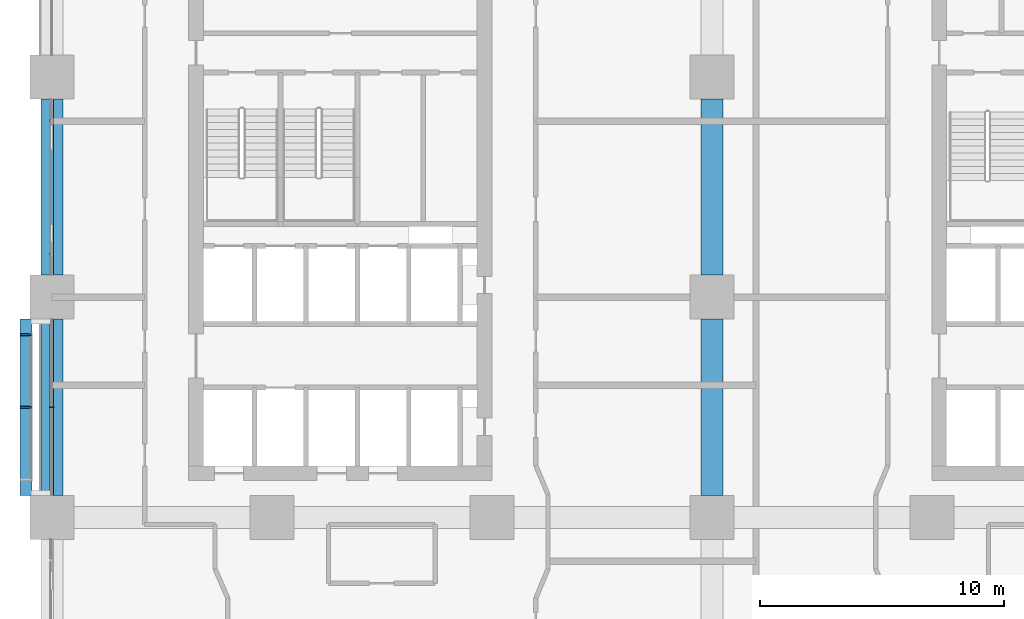
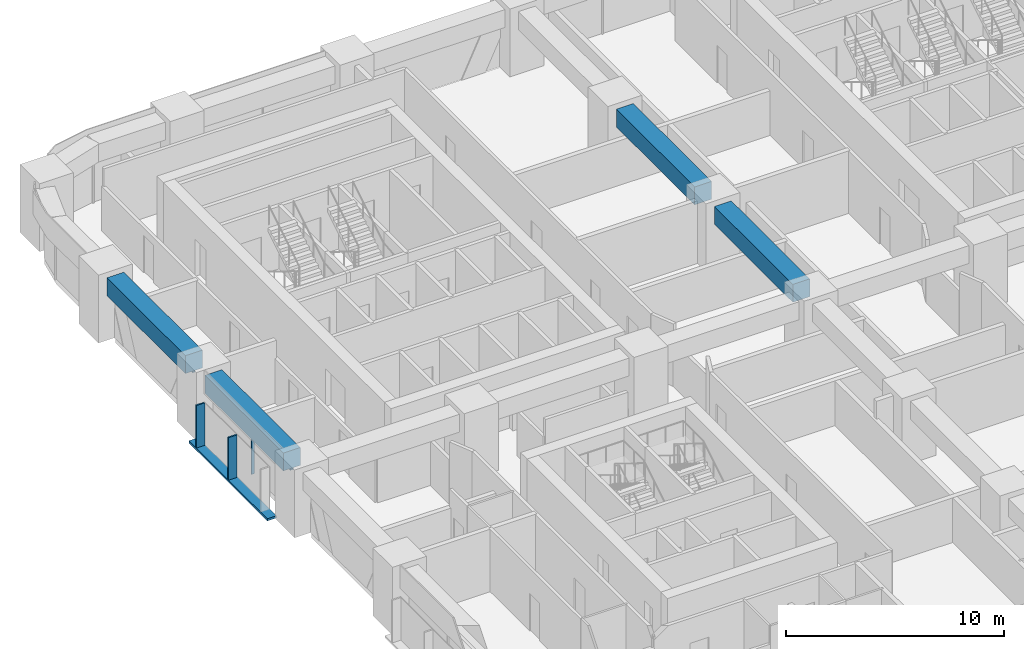
# One storey, part 6 of 23: 5 beams, 5 members, 2 elements without a shape of their own.
"""IFC4 building model written with IfcOpenShell, lengths in metres."""

from ifc_helpers import new_model, si_unit, direction, frame, origin, origin_2d, place, context, subcontext, project, spatial, rectangle, extrude, material, material_profile, profile_set, type_object, element, aggregate, save


model = new_model("IFC4")

# Units and contexts
model_context = context("Model", 3, precision=1e-05, world=origin(), true_north=direction((0.0, 1.0)))
body_context = subcontext(model_context, "Body", "Model", "MODEL_VIEW")
ifc_project = project(units=[si_unit("LENGTHUNIT", "METRE"), si_unit("AREAUNIT", "SQUARE_METRE"), si_unit("VOLUMEUNIT", "CUBIC_METRE"), si_unit("PLANEANGLEUNIT", "RADIAN"), si_unit("MASSUNIT", "GRAM", prefix="KILO")], contexts=[model_context])

# Site, building, storey
site_placement = place(None, origin())
site = spatial("IfcSite", under=ifc_project, at=site_placement, CompositionType="ELEMENT")
building_placement = place(site_placement, origin())
building = spatial("IfcBuilding", under=site, at=building_placement, Name="Tessera Arch", CompositionType="ELEMENT")
storey_placement = place(building_placement, frame((0.0, 0.0, 57.60009765625)))
storey = spatial("IfcBuildingStorey", under=building, at=storey_placement, Name="L12", CompositionType="ELEMENT", Elevation=57.60009765625)

# Curtain wall, members
ifc_material_1 = material(Name="CW1 curtain wall")
curtain_wall_type_1 = type_object("IfcCurtainWallType", Name="CW1 curtain wall", PredefinedType="NOTDEFINED", material=ifc_material_1)
curtain_wall_1_placement = place(storey_placement, origin())
curtain_wall_1 = element("IfcCurtainWall", 1, at=curtain_wall_1_placement, inside=storey, type_object=curtain_wall_type_1, Name="CW1 curtain wall W0.0/2 L12", PredefinedType="NOTDEFINED")
ifc_material_2 = material(Name="Anodised aluminium pale metal", Category="aluminium")
ifc_material_profile_1 = material_profile(ifc_material_2, rectangle(XDim=0.159912109375, YDim=0.06005859375, at=origin_2d()), Name="AL 60x160")
ifc_profile_set_1 = profile_set([ifc_material_profile_1], Name="Anodised aluminium pale metal")
member_type_1 = type_object("IfcMemberType", Name="CW1 mullion", PredefinedType="MULLION", material=ifc_profile_set_1)
member_1_placement = place(storey_placement, frame((0.0, 31.5, 0.0), z_axis=(0.0, 0.0, 1.0), x_axis=(1.0, 0.0, 0.0)))
member_1 = element("IfcMember", 2, at=member_1_placement, type_object=member_type_1, Name="CW1 mullion W0.0/2 1", PredefinedType="MULLION", context=body_context, shape_type="SweptSolid", body=[
    extrude(rectangle(XDim=0.159912109375, YDim=0.06005859375, at=origin_2d()), origin(), (0.0, 0.0, 1.0), 2.39990234375),
])
ifc_material_3 = material(Name="Anodised aluminium pale metal", Category="aluminium")
ifc_material_profile_2 = material_profile(ifc_material_3, rectangle(XDim=0.159912109375, YDim=0.10009765625, at=origin_2d()), Name="AL 160x100")
ifc_profile_set_2 = profile_set([ifc_material_profile_2], Name="Anodised aluminium pale metal")
member_type_2 = type_object("IfcMemberType", Name="CW1 transom", PredefinedType="USERDEFINED", material=ifc_profile_set_2)
member_2_placement = place(storey_placement, frame((0.0, 35.10009765625, 2.449951171875), z_axis=(0.0, -1.0, 0.0), x_axis=(1.0, 0.0, 0.0)))
member_2 = element("IfcMember", 3, at=member_2_placement, type_object=member_type_2, Name="CW1 transom W0.0/2 1.1", ObjectType="TRANSOM", PredefinedType="USERDEFINED", context=body_context, shape_type="SweptSolid", body=[
    extrude(rectangle(XDim=0.159912109375, YDim=0.10009765625, at=origin_2d()), origin(), (0.0, 0.0, 1.0), 7.2001953125),
])
aggregate(curtain_wall_1, [member_1, member_2])

# Curtain wall, member
ifc_material_4 = material(Name="CW3 curtain wall")
curtain_wall_type_2 = type_object("IfcCurtainWallType", Name="CW3 curtain wall", PredefinedType="NOTDEFINED", material=ifc_material_4)
curtain_wall_2_placement = place(storey_placement, origin())
curtain_wall_2 = element("IfcCurtainWall", 4, at=curtain_wall_2_placement, inside=storey, type_object=curtain_wall_type_2, Name="CW3 curtain wall W0.0/1 L12", PredefinedType="NOTDEFINED")
ifc_material_5 = material(Name="Anodised aluminium pale metal", Category="aluminium")
ifc_material_profile_3 = material_profile(ifc_material_5, rectangle(XDim=0.139892578125, YDim=0.10009765625, at=origin_2d()), Name="AL 140x100")
ifc_profile_set_3 = profile_set([ifc_material_profile_3], Name="Anodised aluminium pale metal")
member_type_3 = type_object("IfcMemberType", Name="CW3 transom", PredefinedType="USERDEFINED", material=ifc_profile_set_3)
member_3_placement = place(storey_placement, frame((0.0, 44.10009765625, 2.449951171875), z_axis=(0.0, -1.0, 0.0), x_axis=(1.0, 0.0, 0.0)))
member_3 = element("IfcMember", 5, at=member_3_placement, type_object=member_type_3, Name="CW3 transom W0.0/1 1.1", ObjectType="TRANSOM", PredefinedType="USERDEFINED", context=body_context, shape_type="SweptSolid", body=[
    extrude(rectangle(XDim=0.139892578125, YDim=0.10009765625, at=origin_2d()), origin(), (0.0, 0.0, 1.0), 7.2001953125),
])
aggregate(curtain_wall_2, [member_3])

# Members
ifc_material_6 = material(Name="Anodised aluminium pale metal", Category="aluminium")
ifc_material_profile_4 = material_profile(ifc_material_6, rectangle(XDim=0.449951171875, YDim=0.080078125, at=origin_2d()), Name="AL 80x450")
ifc_profile_set_4 = profile_set([ifc_material_profile_4], Name="Anodised aluminium pale metal")
member_type_4 = type_object("IfcMemberType", Name="Mashrabiya fin", PredefinedType="USERDEFINED", material=ifc_profile_set_4)
for number, where, z_axis, x_axis, name in (
    (6, (-1.074951171875, 34.4599609375, 0.119873046875), (0.0, 0.0, 1.0), (-1.0, 0.0, 0.0), "FIN mashrabiya W0.0/2 1"),
    (7, (-1.074951171875, 31.5, 0.119873046875), (0.0, 0.0, 1.0), (-1.0, 0.0, 0.0), "FIN mashrabiya W0.0/2 2"),
):
    element("IfcMember", number, at=place(storey_placement, frame(where, z_axis=z_axis, x_axis=x_axis)), inside=storey, type_object=member_type_4, Name=name, ObjectType="FIN", PredefinedType="USERDEFINED", context=body_context, shape_type="SweptSolid", body=[
        extrude(rectangle(XDim=0.449951171875, YDim=0.080078125, at=origin_2d()), origin(), (0.0, 0.0, 1.0), 2.380126953125),
    ])

# Beams
ifc_material_7 = material(Name="Concrete C80/95", Category="concrete")
ifc_material_profile_5 = material_profile(ifc_material_7, rectangle(XDim=0.89990234375, YDim=1.0, at=origin_2d()), Name="RC spandrel beam 900 x 1000 Concrete C80/95")
ifc_profile_set_5 = profile_set([ifc_material_profile_5], Name="Concrete C80/95")
beam_type_1 = type_object("IfcBeamType", Name="RC spandrel beam 900 x 1000 Concrete C80/95", PredefinedType="BEAM", material=ifc_profile_set_5)
for number, where, z_axis, x_axis, name in (
    (8, (0.0, 44.10009765625, 3.0), (0.0, -1.0, 0.0), (1.0, 0.0, 0.0), "Spandrel beam L12 W0.0/1"),
    (9, (0.0, 35.10009765625, 3.0), (0.0, -1.0, 0.0), (1.0, 0.0, 0.0), "Spandrel beam L12 W0.0/2"),
    (10, (27.0, 27.89990234375, 3.0), (0.0, 1.0, 0.0), (-1.0, 0.0, 0.0), "Interface beam L12 I0C4D-C4E"),
    (11, (27.0, 36.89990234375, 3.0), (0.0, 1.0, 0.0), (-1.0, 0.0, 0.0), "Interface beam L12 I0C4E-C4F"),
):
    element("IfcBeam", number, at=place(storey_placement, frame(where, z_axis=z_axis, x_axis=x_axis)), inside=storey, type_object=beam_type_1, Name=name, PredefinedType="BEAM", context=body_context, shape_type="SweptSolid", body=[
        extrude(rectangle(XDim=0.89990234375, YDim=1.0, at=origin_2d()), origin(), (0.0, 0.0, 1.0), 7.2001953125),
    ])
ifc_material_8 = material(Name="Aluminium alloy 6063-T6", Category="aluminium")
ifc_material_profile_6 = material_profile(ifc_material_8, rectangle(XDim=0.489990234375, YDim=0.1201171875, at=origin_2d()), Name="AL 490x120")
ifc_profile_set_6 = profile_set([ifc_material_profile_6], Name="Aluminium alloy 6063-T6")
beam_type_2 = type_object("IfcBeamType", Name="Screen sill beam", PredefinedType="BEAM", material=ifc_profile_set_6)
beam_placement = place(storey_placement, frame((-1.054931640625, 35.10009765625, 0.059814453125), z_axis=(0.0, -1.0, 0.0), x_axis=(1.0, 0.0, 0.0)))
element("IfcBeam", 12, at=beam_placement, inside=storey, type_object=beam_type_2, Name="Screen sill beam", PredefinedType="BEAM", context=body_context, shape_type="SweptSolid", body=[
    extrude(rectangle(XDim=0.489990234375, YDim=0.1201171875, at=origin_2d()), origin(), (0.0, 0.0, 1.0), 7.2001953125),
])

save(model, "model.ifc")
